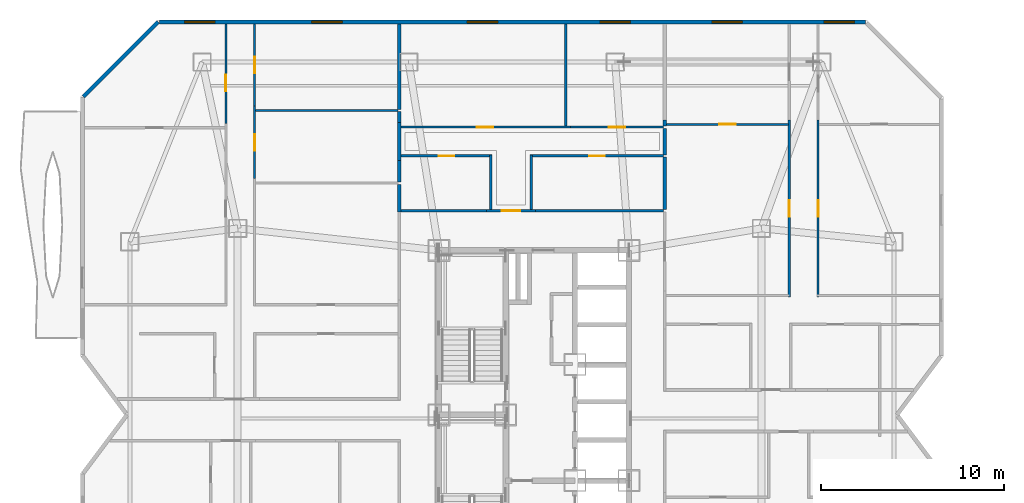
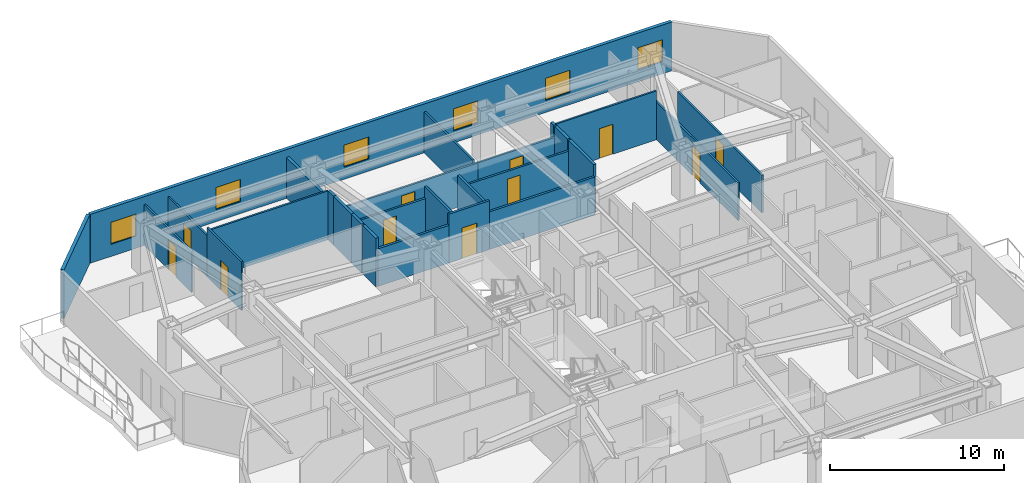
# One storey, part 11 of 15: 27 walls, 11 doors, 6 windows, 17 openings.
"""IFC4 building model written with IfcOpenShell, lengths in metres."""

from ifc_helpers import new_model, si_unit, direction, frame, frame_2d, origin, place, context, subcontext, project, spatial, rectangle, extrude, material, layer, layer_set, type_object, element, fill, save


model = new_model("IFC4")

# Units and contexts
model_context = context("Model", 3, precision=1e-05, world=origin(), true_north=direction((0.0, 1.0)))
body_context = subcontext(model_context, "Body", "Model", "MODEL_VIEW")
ifc_project = project(units=[si_unit("LENGTHUNIT", "METRE"), si_unit("AREAUNIT", "SQUARE_METRE"), si_unit("VOLUMEUNIT", "CUBIC_METRE"), si_unit("PLANEANGLEUNIT", "RADIAN"), si_unit("MASSUNIT", "GRAM", prefix="KILO")], contexts=[model_context])

# Site, building, storey
site_placement = place(None, origin())
site = spatial("IfcSite", under=ifc_project, at=site_placement, CompositionType="ELEMENT")
building_placement = place(site_placement, origin())
building = spatial("IfcBuilding", under=site, at=building_placement, Name="Khamvora Tower", CompositionType="ELEMENT")
storey_placement = place(building_placement, frame((0.0, 0.0, 101.89990234375)))
storey = spatial("IfcBuildingStorey", under=building, at=storey_placement, Name="L25", CompositionType="ELEMENT", Elevation=101.89990234375)

# Wall, opening, door
ifc_material_1 = material(Name="Fire-Rated Drywall and Steel Stud", Category="steel")
ifc_layer_1 = layer(ifc_material_1, 0.14990234375)
ifc_layer_set_1 = layer_set([ifc_layer_1], Name="Fire-Rated Drywall and Steel Stud")
wall_type_1 = type_object("IfcWallType", Name="WAL-CORR-150", PredefinedType="STANDARD", material=ifc_layer_set_1)
wall_1_placement = place(storey_placement, frame((31.60107421875, 39.1650390625, 0.0), z_axis=(0.0, 0.0, 1.0), x_axis=(1.0, 0.0, 0.0)))
wall_1 = element("IfcWall", 1, at=wall_1_placement, inside=storey, type_object=wall_type_1, Name="L25 interior partition wall 020", PredefinedType="STANDARD", context=body_context, shape_type="SweptSolid", body=[
    extrude(rectangle(XDim=2.697998046875, YDim=0.14990234375, at=frame_2d((1.34912109375, 0.0))), origin(), (0.0, 0.0, 1.0), 3.43017578125),
])
opening_1_placement = place(wall_1_placement, frame((0.84912109375, 0.0, 0.0)))
opening_1 = element("IfcOpeningElement", 2, at=opening_1_placement, cuts=wall_1, Name="Opening D-U1", PredefinedType="OPENING", context=body_context, shape_type="SweptSolid", body=[
    extrude(rectangle(XDim=1.0, YDim=2.14990234375, at=frame_2d((0.5, 1.074951171875))), frame((0.0, 0.0849609375, 0.0), z_axis=(0.0, -1.0, 0.0), x_axis=(1.0, 0.0, 0.0)), (0.0, 0.0, 1.0), 0.169921875),
])
ifc_material_2 = material(Name="Powder-Coated Steel and Hardwood Leaf", Category="steel")
door_type_1 = type_object("IfcDoorType", Name="DOR-UNIT-1000", OperationType="NOTDEFINED", PredefinedType="DOOR", material=ifc_material_2)
door_1_placement = place(opening_1_placement, origin())
door_1 = element("IfcDoor", 3, at=door_1_placement, inside=storey, type_object=door_type_1, Name="L25 interior door COR-25NAH", OperationType="SINGLE_SWING_RIGHT", OverallHeight=2.14990234375, OverallWidth=1.0, PredefinedType="DOOR", context=body_context, shape_type="SweptSolid", body=[
    extrude(rectangle(XDim=1.0, YDim=2.14990234375, at=frame_2d((0.5, 1.074951171875))), frame((0.0, 0.02490234375, 0.0), z_axis=(0.0, -1.0, 0.0), x_axis=(1.0, 0.0, 0.0)), (0.0, 0.0, 1.0), 0.050048828125),
])
fill(opening_1, door_1)

# Walls
wall_2_placement = place(storey_placement, frame((26.89990234375, 39.1650390625, 0.0), z_axis=(0.0, 0.0, 1.0), x_axis=(1.0, 0.0, 0.0)))
element("IfcWall", 4, at=wall_2_placement, inside=storey, type_object=wall_type_1, Name="L25 interior partition wall 021", PredefinedType="STANDARD", context=body_context, shape_type="SweptSolid", body=[
    extrude(rectangle(XDim=4.701171875, YDim=0.14990234375, at=frame_2d((2.3505859375, 0.0))), origin(), (0.0, 0.0, 1.0), 2.647216796875),
])
wall_3_placement = place(storey_placement, frame((34.299072265625, 39.1650390625, 0.0), z_axis=(0.0, 0.0, 1.0), x_axis=(1.0, 0.0, 0.0)))
element("IfcWall", 5, at=wall_3_placement, inside=storey, type_object=wall_type_1, Name="L25 interior partition wall 022", PredefinedType="STANDARD", context=body_context, shape_type="SweptSolid", body=[
    extrude(rectangle(XDim=7.0009765625, YDim=0.14990234375, at=frame_2d((3.50048828125, 0.0))), origin(), (0.0, 0.0, 1.0), 2.647216796875),
])
ifc_material_3 = material(Name="Acoustic Double-Stud Fire Wall", Category="gypsum")
ifc_layer_2 = layer(ifc_material_3, 0.179931640625)
ifc_layer_set_2 = layer_set([ifc_layer_2], Name="Acoustic Double-Stud Fire Wall")
wall_type_2 = type_object("IfcWallType", Name="WAL-CORR-180", PredefinedType="STANDARD", material=ifc_layer_set_2)
wall_4_placement = place(storey_placement, frame((26.8349609375, 40.614013671875, 0.0), z_axis=(0.0, 0.0, 1.0), x_axis=(0.0, -1.0, 0.0)))
element("IfcWall", 6, at=wall_4_placement, inside=storey, type_object=wall_type_2, Name="L25 interior partition wall 070", PredefinedType="STANDARD", context=body_context, shape_type="SweptSolid", body=[
    extrude(rectangle(XDim=1.513916015625, YDim=0.179931640625, at=frame_2d((0.7568359375, 0.0))), origin(), (0.0, 0.0, 1.0), 3.43017578125),
])
wall_5_placement = place(storey_placement, frame((26.8349609375, 43.990966796875, 0.0), z_axis=(0.0, 0.0, 1.0), x_axis=(0.0, -1.0, 0.0)))
element("IfcWall", 7, at=wall_5_placement, inside=storey, type_object=wall_type_2, Name="L25 interior partition wall 072", PredefinedType="STANDARD", context=body_context, shape_type="SweptSolid", body=[
    extrude(rectangle(XDim=2.077880859375, YDim=0.179931640625, at=frame_2d((1.0390625, 0.0))), origin(), (0.0, 0.0, 1.0), 3.43017578125),
])
wall_6_placement = place(storey_placement, frame((26.8349609375, 41.9130859375, 0.0), z_axis=(0.0, 0.0, 1.0), x_axis=(0.0, -1.0, 0.0)))
element("IfcWall", 8, at=wall_6_placement, inside=storey, type_object=wall_type_2, Name="L25 interior partition wall 073", PredefinedType="STANDARD", context=body_context, shape_type="SweptSolid", body=[
    extrude(rectangle(XDim=1.169189453125, YDim=0.179931640625, at=frame_2d((0.58447265625, 0.0))), origin(), (0.0, 0.0, 1.0), 3.43017578125),
])
wall_7_placement = place(storey_placement, frame((26.8349609375, 44.5830078125, 0.0), z_axis=(0.0, 0.0, 1.0), x_axis=(0.0, -1.0, 0.0)))
element("IfcWall", 9, at=wall_7_placement, inside=storey, type_object=wall_type_2, Name="L25 interior partition wall 074", PredefinedType="STANDARD", context=body_context, shape_type="SweptSolid", body=[
    extrude(rectangle(XDim=0.592041015625, YDim=0.179931640625, at=frame_2d((0.2958984375, 0.0))), origin(), (0.0, 0.0, 1.0), 3.43017578125),
])
wall_8_placement = place(storey_placement, frame((26.8349609375, 49.387939453125, 0.0), z_axis=(0.0, 0.0, 1.0), x_axis=(0.0, -1.0, 0.0)))
element("IfcWall", 10, at=wall_8_placement, inside=storey, type_object=wall_type_2, Name="L25 interior partition wall 075", PredefinedType="STANDARD", context=body_context, shape_type="SweptSolid", body=[
    extrude(rectangle(XDim=4.675048828125, YDim=0.179931640625, at=frame_2d((2.33740234375, 0.0))), origin(), (0.0, 0.0, 1.0), 2.8759765625),
])
wall_9_placement = place(storey_placement, frame((41.364990234375, 43.677001953125, 0.0), z_axis=(0.0, 0.0, 1.0), x_axis=(0.0, -1.0, 0.0)))
element("IfcWall", 11, at=wall_9_placement, inside=storey, type_object=wall_type_2, Name="L25 interior partition wall 093", PredefinedType="STANDARD", context=body_context, shape_type="SweptSolid", body=[
    extrude(rectangle(XDim=1.449951171875, YDim=0.179931640625, at=frame_2d((0.72509765625, 0.0))), origin(), (0.0, 0.0, 1.0), 3.43017578125),
])
wall_10_placement = place(storey_placement, frame((41.364990234375, 42.096923828125, 0.0), z_axis=(0.0, 0.0, 1.0), x_axis=(0.0, -1.0, 0.0)))
element("IfcWall", 12, at=wall_10_placement, inside=storey, type_object=wall_type_2, Name="L25 interior partition wall 094", PredefinedType="STANDARD", context=body_context, shape_type="SweptSolid", body=[
    extrude(rectangle(XDim=2.866943359375, YDim=0.179931640625, at=frame_2d((1.43359375, 0.0))), origin(), (0.0, 0.0, 1.0), 3.43017578125),
])
wall_11_placement = place(storey_placement, frame((41.364990234375, 44.137939453125, 0.0), z_axis=(0.0, 0.0, 1.0), x_axis=(0.0, -1.0, 0.0)))
element("IfcWall", 13, at=wall_11_placement, inside=storey, type_object=wall_type_2, Name="L25 interior partition wall 096", PredefinedType="STANDARD", context=body_context, shape_type="SweptSolid", body=[
    extrude(rectangle(XDim=0.3310546875, YDim=0.179931640625, at=frame_2d((0.16552734375, 0.0))), origin(), (0.0, 0.0, 1.0), 3.43017578125),
])
ifc_material_4 = material(Name="Precast concrete C40/50", Category="concrete")
ifc_layer_3 = layer(ifc_material_4, 0.219970703125)
ifc_layer_set_3 = layer_set([ifc_layer_3], Name="Precast concrete C40/50")
wall_type_3 = type_object("IfcWallType", Name="WAL-EXT-220", PredefinedType="STANDARD", material=ifc_layer_set_3)
wall_12_placement = place(storey_placement, frame((9.55810546875, 45.402099609375, 0.0), z_axis=(0.0, 0.0, 1.0), x_axis=(0.707106781187, 0.707106781187, 0.0)))
element("IfcWall", 14, at=wall_12_placement, inside=storey, type_object=wall_type_3, Name="L25 exterior facade wall 06.1", PredefinedType="STANDARD", context=body_context, shape_type="SweptSolid", body=[
    extrude(rectangle(XDim=5.78125, YDim=0.219970703125, at=frame_2d((2.890625, 0.0))), origin(), (0.0, 0.0, 1.0), 3.43017578125),
])

# Wall, openings, windows
wall_13_placement = place(storey_placement, frame((13.715087890625, 49.489990234375, 0.0), z_axis=(0.0, 0.0, 1.0), x_axis=(1.0, 0.0, 0.0)))
wall_13 = element("IfcWall", 15, at=wall_13_placement, inside=storey, type_object=wall_type_3, Name="L25 exterior facade wall 07.1", PredefinedType="STANDARD", context=body_context, shape_type="SweptSolid", body=[
    extrude(rectangle(XDim=38.638916015625, YDim=0.219970703125, at=frame_2d((19.3193359375, 0.0))), origin(), (0.0, 0.0, 1.0), 3.43017578125),
])
opening_2_placement = place(wall_13_placement, frame((1.387939453125, 0.0, 0.85009765625)))
opening_2 = element("IfcOpeningElement", 16, at=opening_2_placement, cuts=wall_13, Name="Opening WN-06", PredefinedType="OPENING", context=body_context, shape_type="SweptSolid", body=[
    extrude(rectangle(XDim=1.64990234375, YDim=1.550048828125, at=frame_2d((0.824951171875, 0.77490234375))), frame((0.0, 0.119873046875, 0.0), z_axis=(0.0, -1.0, 0.0), x_axis=(1.0, 0.0, 0.0)), (0.0, 0.0, 1.0), 0.239990234375),
])
opening_3_placement = place(wall_13_placement, frame((8.340087890625, 0.0, 0.85009765625)))
opening_3 = element("IfcOpeningElement", 17, at=opening_3_placement, cuts=wall_13, Name="Opening WN-06", PredefinedType="OPENING", context=body_context, shape_type="SweptSolid", body=[
    extrude(rectangle(XDim=1.64990234375, YDim=1.550048828125, at=frame_2d((0.824951171875, 0.77490234375))), frame((0.0, 0.119873046875, 0.0), z_axis=(0.0, -1.0, 0.0), x_axis=(1.0, 0.0, 0.0)), (0.0, 0.0, 1.0), 0.239990234375),
])
opening_4_placement = place(wall_13_placement, frame((16.85107421875, 0.0, 0.85009765625)))
opening_4 = element("IfcOpeningElement", 18, at=opening_4_placement, cuts=wall_13, Name="Opening WN-06", PredefinedType="OPENING", context=body_context, shape_type="SweptSolid", body=[
    extrude(rectangle(XDim=1.64990234375, YDim=1.550048828125, at=frame_2d((0.824951171875, 0.77490234375))), frame((0.0, 0.119873046875, 0.0), z_axis=(0.0, -1.0, 0.0), x_axis=(1.0, 0.0, 0.0)), (0.0, 0.0, 1.0), 0.239990234375),
])
opening_5_placement = place(wall_13_placement, frame((24.115966796875, 0.0, 0.85009765625)))
opening_5 = element("IfcOpeningElement", 19, at=opening_5_placement, cuts=wall_13, Name="Opening WN-06", PredefinedType="OPENING", context=body_context, shape_type="SweptSolid", body=[
    extrude(rectangle(XDim=1.64990234375, YDim=1.550048828125, at=frame_2d((0.824951171875, 0.77490234375))), frame((0.0, 0.119873046875, 0.0), z_axis=(0.0, -1.0, 0.0), x_axis=(1.0, 0.0, 0.0)), (0.0, 0.0, 1.0), 0.239990234375),
])
opening_6_placement = place(wall_13_placement, frame((30.22998046875, 0.0, 0.85009765625)))
opening_6 = element("IfcOpeningElement", 20, at=opening_6_placement, cuts=wall_13, Name="Opening WN-06", PredefinedType="OPENING", context=body_context, shape_type="SweptSolid", body=[
    extrude(rectangle(XDim=1.64990234375, YDim=1.550048828125, at=frame_2d((0.824951171875, 0.77490234375))), frame((0.0, 0.119873046875, 0.0), z_axis=(0.0, -1.0, 0.0), x_axis=(1.0, 0.0, 0.0)), (0.0, 0.0, 1.0), 0.239990234375),
])
opening_7_placement = place(wall_13_placement, frame((36.366943359375, 0.0, 0.85009765625)))
opening_7 = element("IfcOpeningElement", 21, at=opening_7_placement, cuts=wall_13, Name="Opening WN-06", PredefinedType="OPENING", context=body_context, shape_type="SweptSolid", body=[
    extrude(rectangle(XDim=1.64990234375, YDim=1.550048828125, at=frame_2d((0.824951171875, 0.77490234375))), frame((0.0, 0.119873046875, 0.0), z_axis=(0.0, -1.0, 0.0), x_axis=(1.0, 0.0, 0.0)), (0.0, 0.0, 1.0), 0.239990234375),
])
ifc_material_5 = material(Name="Low-E Laminated Double Glazing", Category="glass")
window_type = type_object("IfcWindowType", Name="WIN-VIS-1650x1550", PartitioningType="SINGLE_PANEL", PredefinedType="WINDOW", material=ifc_material_5)
window_1_placement = place(opening_2_placement, origin())
window_1 = element("IfcWindow", 22, at=window_1_placement, inside=storey, type_object=window_type, Name="L25 vision window 07.1.01", OverallHeight=1.550048828125, OverallWidth=1.64990234375, PartitioningType="SINGLE_PANEL", PredefinedType="WINDOW", context=body_context, shape_type="SweptSolid", body=[
    extrude(rectangle(XDim=1.64990234375, YDim=1.550048828125, at=frame_2d((0.824951171875, 0.77490234375))), frame((0.0, 0.030029296875, 0.0), z_axis=(0.0, -1.0, 0.0), x_axis=(1.0, 0.0, 0.0)), (0.0, 0.0, 1.0), 0.06005859375),
])
fill(opening_2, window_1)
window_2_placement = place(opening_3_placement, origin())
window_2 = element("IfcWindow", 23, at=window_2_placement, inside=storey, type_object=window_type, Name="L25 vision window 07.1.02", OverallHeight=1.550048828125, OverallWidth=1.64990234375, PartitioningType="SINGLE_PANEL", PredefinedType="WINDOW", context=body_context, shape_type="SweptSolid", body=[
    extrude(rectangle(XDim=1.64990234375, YDim=1.550048828125, at=frame_2d((0.824951171875, 0.77490234375))), frame((0.0, 0.030029296875, 0.0), z_axis=(0.0, -1.0, 0.0), x_axis=(1.0, 0.0, 0.0)), (0.0, 0.0, 1.0), 0.06005859375),
])
fill(opening_3, window_2)
window_3_placement = place(opening_4_placement, origin())
window_3 = element("IfcWindow", 24, at=window_3_placement, inside=storey, type_object=window_type, Name="L25 vision window 07.1.03", OverallHeight=1.550048828125, OverallWidth=1.64990234375, PartitioningType="SINGLE_PANEL", PredefinedType="WINDOW", context=body_context, shape_type="SweptSolid", body=[
    extrude(rectangle(XDim=1.64990234375, YDim=1.550048828125, at=frame_2d((0.824951171875, 0.77490234375))), frame((0.0, 0.030029296875, 0.0), z_axis=(0.0, -1.0, 0.0), x_axis=(1.0, 0.0, 0.0)), (0.0, 0.0, 1.0), 0.06005859375),
])
fill(opening_4, window_3)
window_4_placement = place(opening_5_placement, origin())
window_4 = element("IfcWindow", 25, at=window_4_placement, inside=storey, type_object=window_type, Name="L25 vision window 07.1.04", OverallHeight=1.550048828125, OverallWidth=1.64990234375, PartitioningType="SINGLE_PANEL", PredefinedType="WINDOW", context=body_context, shape_type="SweptSolid", body=[
    extrude(rectangle(XDim=1.64990234375, YDim=1.550048828125, at=frame_2d((0.824951171875, 0.77490234375))), frame((0.0, 0.030029296875, 0.0), z_axis=(0.0, -1.0, 0.0), x_axis=(1.0, 0.0, 0.0)), (0.0, 0.0, 1.0), 0.06005859375),
])
fill(opening_5, window_4)
window_5_placement = place(opening_6_placement, origin())
window_5 = element("IfcWindow", 26, at=window_5_placement, inside=storey, type_object=window_type, Name="L25 vision window 07.1.05", OverallHeight=1.550048828125, OverallWidth=1.64990234375, PartitioningType="SINGLE_PANEL", PredefinedType="WINDOW", context=body_context, shape_type="SweptSolid", body=[
    extrude(rectangle(XDim=1.64990234375, YDim=1.550048828125, at=frame_2d((0.824951171875, 0.77490234375))), frame((0.0, 0.030029296875, 0.0), z_axis=(0.0, -1.0, 0.0), x_axis=(1.0, 0.0, 0.0)), (0.0, 0.0, 1.0), 0.06005859375),
])
fill(opening_6, window_5)
window_6_placement = place(opening_7_placement, origin())
window_6 = element("IfcWindow", 27, at=window_6_placement, inside=storey, type_object=window_type, Name="L25 vision window 07.1.06", OverallHeight=1.550048828125, OverallWidth=1.64990234375, PartitioningType="SINGLE_PANEL", PredefinedType="WINDOW", context=body_context, shape_type="SweptSolid", body=[
    extrude(rectangle(XDim=1.64990234375, YDim=1.550048828125, at=frame_2d((0.824951171875, 0.77490234375))), frame((0.0, 0.030029296875, 0.0), z_axis=(0.0, -1.0, 0.0), x_axis=(1.0, 0.0, 0.0)), (0.0, 0.0, 1.0), 0.06005859375),
])
fill(opening_7, window_6)

# Wall, opening, door
ifc_material_6 = material(Name="Gypsum Plasterboard Partition", Category="gypsum")
ifc_layer_4 = layer(ifc_material_6, 0.1201171875)
ifc_layer_set_4 = layer_set([ifc_layer_4], Name="Gypsum Plasterboard Partition")
wall_type_4 = type_object("IfcWallType", Name="WAL-PART-120", PredefinedType="PARTITIONING", material=ifc_layer_set_4)
wall_14_placement = place(storey_placement, frame((17.35498046875, 43.949951171875, 0.0), z_axis=(0.0, 0.0, 1.0), x_axis=(0.0, 1.0, 0.0)))
wall_14 = element("IfcWall", 28, at=wall_14_placement, inside=storey, type_object=wall_type_4, Name="L25 interior partition wall 063", PredefinedType="PARTITIONING", context=body_context, shape_type="SweptSolid", body=[
    extrude(rectangle(XDim=5.43798828125, YDim=0.1201171875, at=frame_2d((2.718994140625, 0.0))), origin(), (0.0, 0.0, 1.0), 2.8759765625),
])
opening_8_placement = place(wall_14_placement, frame((1.760986328125, 0.0, 0.0)))
opening_8 = element("IfcOpeningElement", 29, at=opening_8_placement, cuts=wall_14, Name="Opening D-RM1", PredefinedType="OPENING", context=body_context, shape_type="SweptSolid", body=[
    extrude(rectangle(XDim=0.89990234375, YDim=2.10009765625, at=frame_2d((0.449951171875, 1.050048828125))), frame((0.0, 0.070068359375, 0.0), z_axis=(0.0, -1.0, 0.0), x_axis=(1.0, 0.0, 0.0)), (0.0, 0.0, 1.0), 0.14013671875),
])
door_type_2 = type_object("IfcDoorType", Name="DOR-ROOM-900", OperationType="NOTDEFINED", PredefinedType="DOOR", material=ifc_material_2)
door_2_placement = place(opening_8_placement, origin())
door_2 = element("IfcDoor", 30, at=door_2_placement, inside=storey, type_object=door_type_2, Name="L25 interior door 25WBH-25WBR2", OperationType="SINGLE_SWING_LEFT", OverallHeight=2.10009765625, OverallWidth=0.89990234375, PredefinedType="DOOR", context=body_context, shape_type="SweptSolid", body=[
    extrude(rectangle(XDim=0.89990234375, YDim=2.10009765625, at=frame_2d((0.449951171875, 1.050048828125))), frame((0.0, 0.02490234375, 0.0), z_axis=(0.0, -1.0, 0.0), x_axis=(1.0, 0.0, 0.0)), (0.0, 0.0, 1.0), 0.050048828125),
])
fill(opening_8, door_2)

wall_15_placement = place(storey_placement, frame((18.925048828125, 44.89697265625, 0.0), z_axis=(0.0, 0.0, 1.0), x_axis=(0.0, -1.0, 0.0)))
wall_15 = element("IfcWall", 31, at=wall_15_placement, inside=storey, type_object=wall_type_4, Name="L25 interior partition wall 066", PredefinedType="PARTITIONING", context=body_context, shape_type="SweptSolid", body=[
    extrude(rectangle(XDim=3.968994140625, YDim=0.1201171875, at=frame_2d((1.984375, 0.0))), origin(), (0.0, 0.0, 1.0), 3.43017578125),
])
opening_9_placement = place(wall_15_placement, frame((1.555908203125, 0.0, 0.0)))
opening_9 = element("IfcOpeningElement", 32, at=opening_9_placement, cuts=wall_15, Name="Opening D-RM1", PredefinedType="OPENING", context=body_context, shape_type="SweptSolid", body=[
    extrude(rectangle(XDim=0.89990234375, YDim=2.10009765625, at=frame_2d((0.449951171875, 1.050048828125))), frame((0.0, 0.070068359375, 0.0), z_axis=(0.0, -1.0, 0.0), x_axis=(1.0, 0.0, 0.0)), (0.0, 0.0, 1.0), 0.14013671875),
])
door_3_placement = place(opening_9_placement, origin())
door_3 = element("IfcDoor", 33, at=door_3_placement, inside=storey, type_object=door_type_2, Name="L25 interior door 25WBH-25WBR4", OperationType="SINGLE_SWING_RIGHT", OverallHeight=2.10009765625, OverallWidth=0.89990234375, PredefinedType="DOOR", context=body_context, shape_type="SweptSolid", body=[
    extrude(rectangle(XDim=0.89990234375, YDim=2.10009765625, at=frame_2d((0.449951171875, 1.050048828125))), frame((0.0, 0.02490234375, 0.0), z_axis=(0.0, -1.0, 0.0), x_axis=(1.0, 0.0, 0.0)), (0.0, 0.0, 1.0), 0.050048828125),
])
fill(opening_9, door_3)

wall_16_placement = place(storey_placement, frame((18.925048828125, 49.387939453125, 0.0), z_axis=(0.0, 0.0, 1.0), x_axis=(0.0, -1.0, 0.0)))
wall_16 = element("IfcWall", 34, at=wall_16_placement, inside=storey, type_object=wall_type_4, Name="L25 interior partition wall 067", PredefinedType="PARTITIONING", context=body_context, shape_type="SweptSolid", body=[
    extrude(rectangle(XDim=4.490966796875, YDim=0.1201171875, at=frame_2d((2.24560546875, 0.0))), origin(), (0.0, 0.0, 1.0), 2.8759765625),
])
opening_10_placement = place(wall_16_placement, frame((1.794921875, 0.0, 0.0)))
opening_10 = element("IfcOpeningElement", 35, at=opening_10_placement, cuts=wall_16, Name="Opening D-RM1", PredefinedType="OPENING", context=body_context, shape_type="SweptSolid", body=[
    extrude(rectangle(XDim=0.89990234375, YDim=2.10009765625, at=frame_2d((0.449951171875, 1.050048828125))), frame((0.0, 0.070068359375, 0.0), z_axis=(0.0, -1.0, 0.0), x_axis=(1.0, 0.0, 0.0)), (0.0, 0.0, 1.0), 0.14013671875),
])
door_4_placement = place(opening_10_placement, origin())
door_4 = element("IfcDoor", 36, at=door_4_placement, inside=storey, type_object=door_type_2, Name="L25 interior door 25WBH-25WBR5", OperationType="SINGLE_SWING_LEFT", OverallHeight=2.10009765625, OverallWidth=0.89990234375, PredefinedType="DOOR", context=body_context, shape_type="SweptSolid", body=[
    extrude(rectangle(XDim=0.89990234375, YDim=2.10009765625, at=frame_2d((0.449951171875, 1.050048828125))), frame((0.0, 0.02490234375, 0.0), z_axis=(0.0, -1.0, 0.0), x_axis=(1.0, 0.0, 0.0)), (0.0, 0.0, 1.0), 0.050048828125),
])
fill(opening_10, door_4)

# Wall
wall_17_placement = place(storey_placement, frame((18.97900390625, 44.64794921875, 0.0), z_axis=(0.0, 0.0, 1.0), x_axis=(1.0, 0.0, 0.0)))
element("IfcWall", 37, at=wall_17_placement, inside=storey, type_object=wall_type_4, Name="L25 interior partition wall 071", PredefinedType="PARTITIONING", context=body_context, shape_type="SweptSolid", body=[
    extrude(rectangle(XDim=7.791015625, YDim=0.1201171875, at=frame_2d((3.8955078125, 0.0))), origin(), (0.0, 0.0, 1.0), 3.43017578125),
])

# Wall, opening, door
wall_18_placement = place(storey_placement, frame((26.9169921875, 43.741943359375, 0.0), z_axis=(0.0, 0.0, 1.0), x_axis=(1.0, 0.0, 0.0)))
wall_18 = element("IfcWall", 38, at=wall_18_placement, inside=storey, type_object=wall_type_4, Name="L25 interior partition wall 091", PredefinedType="PARTITIONING", context=body_context, shape_type="SweptSolid", body=[
    extrude(rectangle(XDim=9.279052734375, YDim=0.1201171875, at=frame_2d((4.6396484375, 0.0))), origin(), (0.0, 0.0, 1.0), 2.647216796875),
])
opening_11_placement = place(wall_18_placement, frame((4.16796875, 0.0, 0.0)))
opening_11 = element("IfcOpeningElement", 39, at=opening_11_placement, cuts=wall_18, Name="Opening D-RM1", PredefinedType="OPENING", context=body_context, shape_type="SweptSolid", body=[
    extrude(rectangle(XDim=0.89990234375, YDim=2.10009765625, at=frame_2d((0.449951171875, 1.050048828125))), frame((0.0, 0.070068359375, 0.0), z_axis=(0.0, -1.0, 0.0), x_axis=(1.0, 0.0, 0.0)), (0.0, 0.0, 1.0), 0.14013671875),
])
door_5_placement = place(opening_11_placement, origin())
door_5 = element("IfcDoor", 40, at=door_5_placement, inside=storey, type_object=door_type_2, Name="L25 interior door 25NAH-25NAR1", OperationType="SINGLE_SWING_LEFT", OverallHeight=2.10009765625, OverallWidth=0.89990234375, PredefinedType="DOOR", context=body_context, shape_type="SweptSolid", body=[
    extrude(rectangle(XDim=0.89990234375, YDim=2.10009765625, at=frame_2d((0.449951171875, 1.050048828125))), frame((0.0, 0.02490234375, 0.0), z_axis=(0.0, -1.0, 0.0), x_axis=(1.0, 0.0, 0.0)), (0.0, 0.0, 1.0), 0.050048828125),
])
fill(opening_11, door_5)

wall_19_placement = place(storey_placement, frame((36.196044921875, 43.741943359375, 0.0), z_axis=(0.0, 0.0, 1.0), x_axis=(1.0, 0.0, 0.0)))
wall_19 = element("IfcWall", 41, at=wall_19_placement, inside=storey, type_object=wall_type_4, Name="L25 interior partition wall 092", PredefinedType="PARTITIONING", context=body_context, shape_type="SweptSolid", body=[
    extrude(rectangle(XDim=5.10400390625, YDim=0.1201171875, at=frame_2d((2.552001953125, 0.0))), origin(), (0.0, 0.0, 1.0), 2.647216796875),
])
opening_12_placement = place(wall_19_placement, frame((2.10205078125, 0.0, 0.0)))
opening_12 = element("IfcOpeningElement", 42, at=opening_12_placement, cuts=wall_19, Name="Opening D-RM1", PredefinedType="OPENING", context=body_context, shape_type="SweptSolid", body=[
    extrude(rectangle(XDim=0.89990234375, YDim=2.10009765625, at=frame_2d((0.449951171875, 1.050048828125))), frame((0.0, 0.070068359375, 0.0), z_axis=(0.0, -1.0, 0.0), x_axis=(1.0, 0.0, 0.0)), (0.0, 0.0, 1.0), 0.14013671875),
])
door_6_placement = place(opening_12_placement, origin())
door_6 = element("IfcDoor", 43, at=door_6_placement, inside=storey, type_object=door_type_2, Name="L25 interior door 25NAH-25NAR2", OperationType="SINGLE_SWING_RIGHT", OverallHeight=2.10009765625, OverallWidth=0.89990234375, PredefinedType="DOOR", context=body_context, shape_type="SweptSolid", body=[
    extrude(rectangle(XDim=0.89990234375, YDim=2.10009765625, at=frame_2d((0.449951171875, 1.050048828125))), frame((0.0, 0.02490234375, 0.0), z_axis=(0.0, -1.0, 0.0), x_axis=(1.0, 0.0, 0.0)), (0.0, 0.0, 1.0), 0.050048828125),
])
fill(opening_12, door_6)

# Wall
wall_20_placement = place(storey_placement, frame((35.947021484375, 49.387939453125, 0.0), z_axis=(0.0, 0.0, 1.0), x_axis=(0.0, -1.0, 0.0)))
element("IfcWall", 44, at=wall_20_placement, inside=storey, type_object=wall_type_4, Name="L25 interior partition wall 095", PredefinedType="PARTITIONING", context=body_context, shape_type="SweptSolid", body=[
    extrude(rectangle(XDim=5.592041015625, YDim=0.1201171875, at=frame_2d((2.7958984375, 0.0))), origin(), (0.0, 0.0, 1.0), 2.8759765625),
])

# Wall, opening, door
wall_21_placement = place(storey_placement, frame((48.175048828125, 34.4599609375, 0.0), z_axis=(0.0, 0.0, 1.0), x_axis=(0.0, 1.0, 0.0)))
wall_21 = element("IfcWall", 45, at=wall_21_placement, inside=storey, type_object=wall_type_4, Name="L25 interior partition wall 117", PredefinedType="PARTITIONING", context=body_context, shape_type="SweptSolid", body=[
    extrude(rectangle(XDim=9.677978515625, YDim=0.1201171875, at=frame_2d((4.8388671875, 0.0))), origin(), (0.0, 0.0, 1.0), 2.647216796875),
])
opening_13_placement = place(wall_21_placement, frame((4.367919921875, 0.0, 0.0)))
opening_13 = element("IfcOpeningElement", 46, at=opening_13_placement, cuts=wall_21, Name="Opening D-RM1", PredefinedType="OPENING", context=body_context, shape_type="SweptSolid", body=[
    extrude(rectangle(XDim=0.89990234375, YDim=2.10009765625, at=frame_2d((0.449951171875, 1.050048828125))), frame((0.0, 0.070068359375, 0.0), z_axis=(0.0, -1.0, 0.0), x_axis=(1.0, 0.0, 0.0)), (0.0, 0.0, 1.0), 0.14013671875),
])
door_7_placement = place(opening_13_placement, origin())
door_7 = element("IfcDoor", 47, at=door_7_placement, inside=storey, type_object=door_type_2, Name="L25 interior door 25EBH-25EBR1", OperationType="SINGLE_SWING_LEFT", OverallHeight=2.10009765625, OverallWidth=0.89990234375, PredefinedType="DOOR", context=body_context, shape_type="SweptSolid", body=[
    extrude(rectangle(XDim=0.89990234375, YDim=2.10009765625, at=frame_2d((0.449951171875, 1.050048828125))), frame((0.0, 0.02490234375, 0.0), z_axis=(0.0, -1.0, 0.0), x_axis=(1.0, 0.0, 0.0)), (0.0, 0.0, 1.0), 0.050048828125),
])
fill(opening_13, door_7)

wall_22_placement = place(storey_placement, frame((49.7451171875, 44.137939453125, 0.0), z_axis=(0.0, 0.0, 1.0), x_axis=(0.0, -1.0, 0.0)))
wall_22 = element("IfcWall", 48, at=wall_22_placement, inside=storey, type_object=wall_type_4, Name="L25 interior partition wall 119", PredefinedType="PARTITIONING", context=body_context, shape_type="SweptSolid", body=[
    extrude(rectangle(XDim=9.677978515625, YDim=0.1201171875, at=frame_2d((4.8388671875, 0.0))), origin(), (0.0, 0.0, 1.0), 2.647216796875),
])
opening_14_placement = place(wall_22_placement, frame((4.409912109375, 0.0, 0.0)))
opening_14 = element("IfcOpeningElement", 49, at=opening_14_placement, cuts=wall_22, Name="Opening D-RM1", PredefinedType="OPENING", context=body_context, shape_type="SweptSolid", body=[
    extrude(rectangle(XDim=0.89990234375, YDim=2.10009765625, at=frame_2d((0.449951171875, 1.050048828125))), frame((0.0, 0.070068359375, 0.0), z_axis=(0.0, -1.0, 0.0), x_axis=(1.0, 0.0, 0.0)), (0.0, 0.0, 1.0), 0.14013671875),
])
door_8_placement = place(opening_14_placement, origin())
door_8 = element("IfcDoor", 50, at=door_8_placement, inside=storey, type_object=door_type_2, Name="L25 interior door 25EBH-25EBR3", OperationType="SINGLE_SWING_LEFT", OverallHeight=2.10009765625, OverallWidth=0.89990234375, PredefinedType="DOOR", context=body_context, shape_type="SweptSolid", body=[
    extrude(rectangle(XDim=0.89990234375, YDim=2.10009765625, at=frame_2d((0.449951171875, 1.050048828125))), frame((0.0, 0.02490234375, 0.0), z_axis=(0.0, -1.0, 0.0), x_axis=(1.0, 0.0, 0.0)), (0.0, 0.0, 1.0), 0.050048828125),
])
fill(opening_14, door_8)

wall_23_placement = place(storey_placement, frame((41.447021484375, 43.887939453125, 0.0), z_axis=(0.0, 0.0, 1.0), x_axis=(1.0, 0.0, 0.0)))
wall_23 = element("IfcWall", 51, at=wall_23_placement, inside=storey, type_object=wall_type_4, Name="L25 interior partition wall 122", PredefinedType="PARTITIONING", context=body_context, shape_type="SweptSolid", body=[
    extrude(rectangle(XDim=6.674072265625, YDim=0.1201171875, at=frame_2d((3.3369140625, 0.0))), origin(), (0.0, 0.0, 1.0), 3.43017578125),
])
opening_15_placement = place(wall_23_placement, frame((2.886962890625, 0.0, 0.0)))
opening_15 = element("IfcOpeningElement", 52, at=opening_15_placement, cuts=wall_23, Name="Opening D-RM1", PredefinedType="OPENING", context=body_context, shape_type="SweptSolid", body=[
    extrude(rectangle(XDim=0.89990234375, YDim=2.10009765625, at=frame_2d((0.449951171875, 1.050048828125))), frame((0.0, 0.070068359375, 0.0), z_axis=(0.0, -1.0, 0.0), x_axis=(1.0, 0.0, 0.0)), (0.0, 0.0, 1.0), 0.14013671875),
])
door_9_placement = place(opening_15_placement, origin())
door_9 = element("IfcDoor", 53, at=door_9_placement, inside=storey, type_object=door_type_2, Name="L25 interior door 25EBR1-25EBR2", OperationType="SINGLE_SWING_LEFT", OverallHeight=2.10009765625, OverallWidth=0.89990234375, PredefinedType="DOOR", context=body_context, shape_type="SweptSolid", body=[
    extrude(rectangle(XDim=0.89990234375, YDim=2.10009765625, at=frame_2d((0.449951171875, 1.050048828125))), frame((0.0, 0.02490234375, 0.0), z_axis=(0.0, -1.0, 0.0), x_axis=(1.0, 0.0, 0.0)), (0.0, 0.0, 1.0), 0.050048828125),
])
fill(opening_15, door_9)

# Wall
ifc_material_7 = material(Name="Moisture-Resistant Plasterboard Partition", Category="gypsum")
ifc_layer_5 = layer(ifc_material_7, 0.135009765625)
ifc_layer_set_5 = layer_set([ifc_layer_5], Name="Moisture-Resistant Plasterboard Partition")
wall_type_5 = type_object("IfcWallType", Name="WAL-WET-135", PredefinedType="PARTITIONING", material=ifc_layer_set_5)
wall_24_placement = place(storey_placement, frame((31.85009765625, 39.23193359375, 0.0), z_axis=(0.0, 0.0, 1.0), x_axis=(0.0, 1.0, 0.0)))
element("IfcWall", 54, at=wall_24_placement, inside=storey, type_object=wall_type_5, Name="L25 interior partition wall 087", PredefinedType="PARTITIONING", context=body_context, shape_type="SweptSolid", body=[
    extrude(rectangle(XDim=2.9951171875, YDim=0.135009765625, at=frame_2d((1.49755859375, 0.0))), origin(), (0.0, 0.0, 1.0), 3.43017578125),
])

# Wall, opening, door
wall_25_placement = place(storey_placement, frame((31.9150390625, 42.162109375, 0.0), z_axis=(0.0, 0.0, 1.0), x_axis=(-1.0, 0.0, 0.0)))
wall_25 = element("IfcWall", 55, at=wall_25_placement, inside=storey, type_object=wall_type_5, Name="L25 interior partition wall 088", PredefinedType="PARTITIONING", context=body_context, shape_type="SweptSolid", body=[
    extrude(rectangle(XDim=4.998046875, YDim=0.135009765625, at=frame_2d((2.4990234375, 0.0))), origin(), (0.0, 0.0, 1.0), 2.647216796875),
])
opening_16_placement = place(wall_25_placement, frame((2.073974609375, 0.0, 0.0)))
opening_16 = element("IfcOpeningElement", 56, at=opening_16_placement, cuts=wall_25, Name="Opening D-WC1", PredefinedType="OPENING", context=body_context, shape_type="SweptSolid", body=[
    extrude(rectangle(XDim=0.85009765625, YDim=2.10009765625, at=frame_2d((0.425048828125, 1.050048828125))), frame((0.0, 0.077392578125, 0.0), z_axis=(0.0, -1.0, 0.0), x_axis=(1.0, 0.0, 0.0)), (0.0, 0.0, 1.0), 0.155029296875),
])
door_type_3 = type_object("IfcDoorType", Name="DOR-WET-850", OperationType="NOTDEFINED", PredefinedType="DOOR", material=ifc_material_2)
door_10_placement = place(opening_16_placement, origin())
door_10 = element("IfcDoor", 57, at=door_10_placement, inside=storey, type_object=door_type_3, Name="L25 interior door 25NAH-25NAB", OperationType="SINGLE_SWING_LEFT", OverallHeight=2.10009765625, OverallWidth=0.85009765625, PredefinedType="DOOR", context=body_context, shape_type="SweptSolid", body=[
    extrude(rectangle(XDim=0.85009765625, YDim=2.10009765625, at=frame_2d((0.425048828125, 1.050048828125))), frame((0.0, 0.02490234375, 0.0), z_axis=(0.0, -1.0, 0.0), x_axis=(1.0, 0.0, 0.0)), (0.0, 0.0, 1.0), 0.050048828125),
])
fill(opening_16, door_10)

wall_26_placement = place(storey_placement, frame((41.300048828125, 42.162109375, 0.0), z_axis=(0.0, 0.0, 1.0), x_axis=(-1.0, 0.0, 0.0)))
wall_26 = element("IfcWall", 58, at=wall_26_placement, inside=storey, type_object=wall_type_5, Name="L25 interior partition wall 089", PredefinedType="PARTITIONING", context=body_context, shape_type="SweptSolid", body=[
    extrude(rectangle(XDim=7.31494140625, YDim=0.135009765625, at=frame_2d((3.657470703125, 0.0))), origin(), (0.0, 0.0, 1.0), 2.647216796875),
])
opening_17_placement = place(wall_26_placement, frame((3.23291015625, 0.0, 0.0)))
opening_17 = element("IfcOpeningElement", 59, at=opening_17_placement, cuts=wall_26, Name="Opening D-RM2", PredefinedType="OPENING", context=body_context, shape_type="SweptSolid", body=[
    extrude(rectangle(XDim=0.85009765625, YDim=2.10009765625, at=frame_2d((0.425048828125, 1.050048828125))), frame((0.0, 0.077392578125, 0.0), z_axis=(0.0, -1.0, 0.0), x_axis=(1.0, 0.0, 0.0)), (0.0, 0.0, 1.0), 0.155029296875),
])
door_type_4 = type_object("IfcDoorType", Name="DOR-ROOM-850", OperationType="NOTDEFINED", PredefinedType="DOOR", material=ifc_material_2)
door_11_placement = place(opening_17_placement, origin())
door_11 = element("IfcDoor", 60, at=door_11_placement, inside=storey, type_object=door_type_4, Name="L25 interior door 25NAH-25NAK", OperationType="SINGLE_SWING_RIGHT", OverallHeight=2.10009765625, OverallWidth=0.85009765625, PredefinedType="DOOR", context=body_context, shape_type="SweptSolid", body=[
    extrude(rectangle(XDim=0.85009765625, YDim=2.10009765625, at=frame_2d((0.425048828125, 1.050048828125))), frame((0.0, 0.02490234375, 0.0), z_axis=(0.0, -1.0, 0.0), x_axis=(1.0, 0.0, 0.0)), (0.0, 0.0, 1.0), 0.050048828125),
])
fill(opening_17, door_11)

# Wall
wall_27_placement = place(storey_placement, frame((34.050048828125, 42.22705078125, 0.0), z_axis=(0.0, 0.0, 1.0), x_axis=(0.0, -1.0, 0.0)))
element("IfcWall", 61, at=wall_27_placement, inside=storey, type_object=wall_type_5, Name="L25 interior partition wall 090", PredefinedType="PARTITIONING", context=body_context, shape_type="SweptSolid", body=[
    extrude(rectangle(XDim=2.9951171875, YDim=0.135009765625, at=frame_2d((1.49755859375, 0.0))), origin(), (0.0, 0.0, 1.0), 3.43017578125),
])

save(model, "model.ifc")
